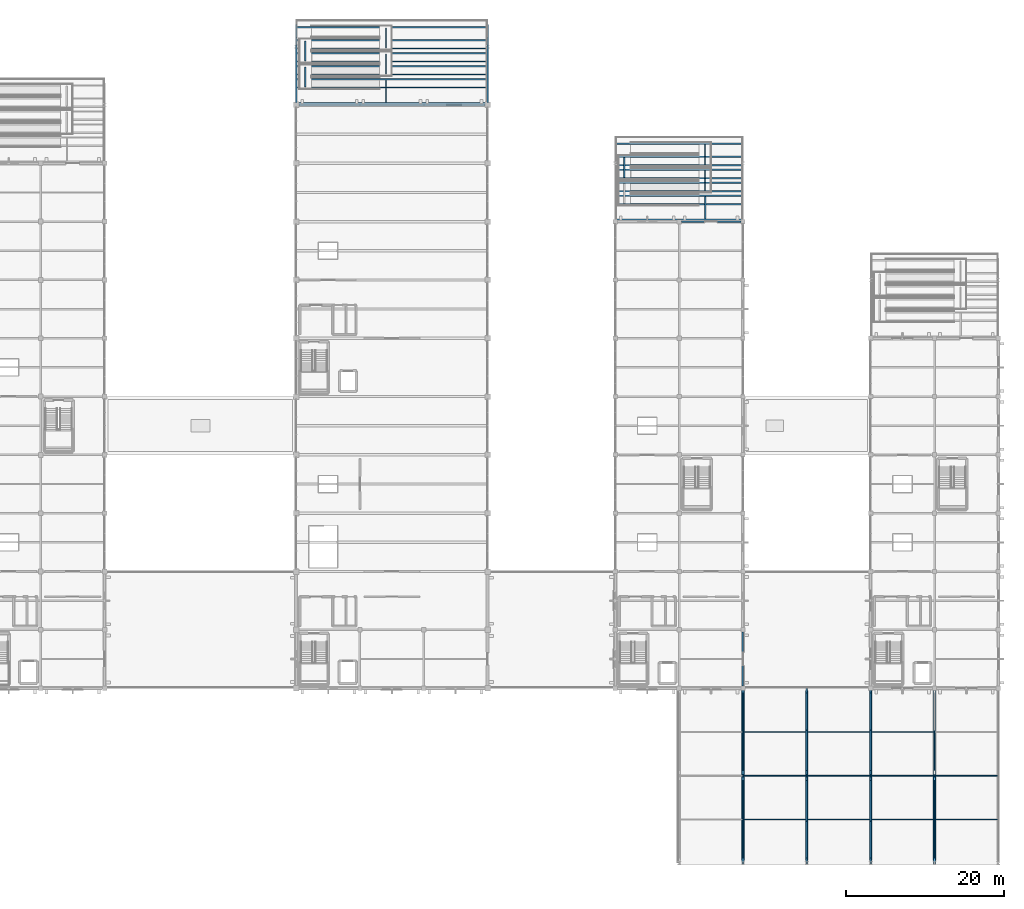
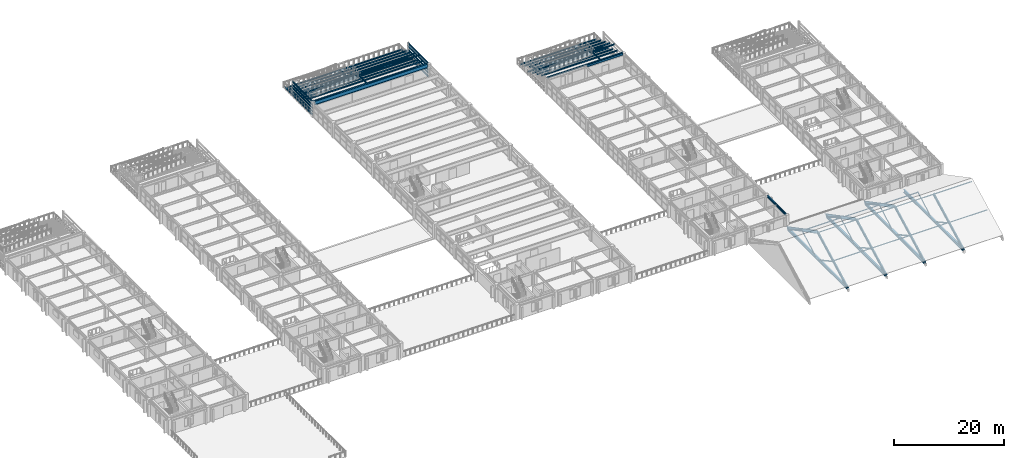
# One storey, part 73 of 121: 49 beams, 30 members.
"""IFC4 building model written with IfcOpenShell, lengths in metres."""

from ifc_helpers import new_model, si_unit, direction, frame, origin, origin_2d, place, context, subcontext, project, spatial, hollow_rectangle, i_section, extrude, material, material_profile, profile_set, type_object, element, save


model = new_model("IFC4")

# Units and contexts
model_context = context("Model", 3, precision=1e-05, world=origin(), true_north=direction((0.0, 1.0)))
body_context = subcontext(model_context, "Body", "Model", "MODEL_VIEW")
ifc_project = project(units=[si_unit("LENGTHUNIT", "METRE"), si_unit("AREAUNIT", "SQUARE_METRE"), si_unit("VOLUMEUNIT", "CUBIC_METRE"), si_unit("PLANEANGLEUNIT", "RADIAN"), si_unit("MASSUNIT", "GRAM", prefix="KILO")], contexts=[model_context])

# Site, building, storey
site_placement = place(None, origin())
site = spatial("IfcSite", under=ifc_project, at=site_placement, CompositionType="ELEMENT")
building_placement = place(site_placement, origin())
building = spatial("IfcBuilding", under=site, at=building_placement, Name="Cimatlan Art Gallery", CompositionType="ELEMENT")
storey_placement = place(building_placement, frame((0.0, 0.0, 10.199951171875)))
storey = spatial("IfcBuildingStorey", under=building, at=storey_placement, Name="L02", CompositionType="ELEMENT", Elevation=10.199951171875)

# Beams
ifc_material_1 = material(Name="Steel ASTM A992 Grade 50", Category="steel")
ifc_material_profile_1 = material_profile(ifc_material_1, i_section(OverallWidth=0.2919921875, OverallDepth=0.845947265625, WebThickness=0.015380859375, FlangeThickness=0.0244140625, at=origin_2d()), Name="W33X141")
ifc_profile_set_1 = profile_set([ifc_material_profile_1], Name="Steel ASTM A992 Grade 50")
beam_type_1 = type_object("IfcBeamType", Name="BM-SPAN24-L03", PredefinedType="BEAM", material=ifc_profile_set_1)
beam_1_placement = place(storey_placement, frame((75.25, 97.89990234375, 2.947021484375), z_axis=(1.0, 0.0, 0.0), x_axis=(0.0, 1.0, 0.0)))
element("IfcBeam", 1, at=beam_1_placement, inside=storey, type_object=beam_type_1, Name="BM-SP24-L02-13", PredefinedType="BEAM", context=body_context, shape_type="SweptSolid", body=[
    extrude(i_section(OverallWidth=0.2919921875, OverallDepth=0.845947265625, WebThickness=0.015380859375, FlangeThickness=0.0244140625, at=origin_2d()), origin(), (0.0, 0.0, 1.0), 23.60009765625),
])
ifc_material_profile_2 = material_profile(ifc_material_1, i_section(OverallWidth=0.1650390625, OverallDepth=0.31005859375, WebThickness=0.005859375, FlangeThickness=0.009765625, at=origin_2d()), Name="W12X26")
ifc_profile_set_2 = profile_set([ifc_material_profile_2], Name="Steel ASTM A992 Grade 50")
beam_type_2 = type_object("IfcBeamType", Name="BM-STL-W12X26", PredefinedType="JOIST", material=ifc_profile_set_2)
for number, where, z_axis, x_axis, name in (
    (2, (74.89990234375, 98.1201171875, 0.364990234375), (0.0, 1.0, 0.0), (-1.0, 0.0, 0.0), "BM-RMP-TER-B3-L1-NSW"),
    (3, (99.199951171875, 98.1201171875, 0.364990234375), (0.0, 1.0, 0.0), (-1.0, 0.0, 0.0), "BM-RMP-TER-B3-L1-NSE"),
):
    element("IfcBeam", number, at=place(storey_placement, frame(where, z_axis=z_axis, x_axis=x_axis)), inside=storey, type_object=beam_type_2, Name=name, PredefinedType="JOIST", context=body_context, shape_type="SweptSolid", body=[
        extrude(i_section(OverallWidth=0.1650390625, OverallDepth=0.31005859375, WebThickness=0.005859375, FlangeThickness=0.009765625, at=origin_2d()), origin(), (0.0, 0.0, 1.0), 9.97998046875),
    ])
for number, where, z_axis, x_axis, name in (
    (4, (74.989990234375, 105.070068359375, 0.364990234375), (1.0, 0.0, 0.0), (0.0, 1.0, 0.0), "BM-RMP-TER-B3-L1-EW1"),
    (5, (74.989990234375, 107.780029296875, 0.364990234375), (1.0, 0.0, 0.0), (0.0, 1.0, 0.0), "BM-RMP-TER-B3-L1-EW2"),
):
    element("IfcBeam", number, at=place(storey_placement, frame(where, z_axis=z_axis, x_axis=x_axis)), inside=storey, type_object=beam_type_2, Name=name, PredefinedType="JOIST", context=body_context, shape_type="SweptSolid", body=[
        extrude(i_section(OverallWidth=0.1650390625, OverallDepth=0.31005859375, WebThickness=0.005859375, FlangeThickness=0.009765625, at=origin_2d()), origin(), (0.0, 0.0, 1.0), 24.1201171875),
    ])
beam_2_placement = place(storey_placement, frame((86.2900390625, 105.159912109375, 0.364990234375), z_axis=(0.0, 1.0, 0.0), x_axis=(-1.0, 0.0, 0.0)))
element("IfcBeam", 6, at=beam_2_placement, inside=storey, type_object=beam_type_2, Name="BM-RMP-TER-B3-L1-X1", PredefinedType="JOIST", context=body_context, shape_type="SweptSolid", body=[
    extrude(i_section(OverallWidth=0.1650390625, OverallDepth=0.31005859375, WebThickness=0.005859375, FlangeThickness=0.009765625, at=origin_2d()), origin(), (0.0, 0.0, 1.0), 2.530029296875),
])
for number, where, z_axis, x_axis, name in (
    (7, (74.89990234375, 98.1201171875, 1.0849609375), (0.0, 1.0, 0.0), (-1.0, 0.0, 0.0), "BM-RMP-TER-B3-L2-NSW"),
    (8, (99.199951171875, 98.1201171875, 1.0849609375), (0.0, 1.0, 0.0), (-1.0, 0.0, 0.0), "BM-RMP-TER-B3-L2-NSE"),
):
    element("IfcBeam", number, at=place(storey_placement, frame(where, z_axis=z_axis, x_axis=x_axis)), inside=storey, type_object=beam_type_2, Name=name, PredefinedType="JOIST", context=body_context, shape_type="SweptSolid", body=[
        extrude(i_section(OverallWidth=0.1650390625, OverallDepth=0.31005859375, WebThickness=0.005859375, FlangeThickness=0.009765625, at=origin_2d()), origin(), (0.0, 0.0, 1.0), 8.329833984375),
    ])
for number, where, z_axis, x_axis, name in (
    (9, (74.989990234375, 103.419921875, 1.0849609375), (1.0, 0.0, 0.0), (0.0, 1.0, 0.0), "BM-RMP-TER-B3-L2-EW1"),
    (10, (74.989990234375, 106.1298828125, 1.0849609375), (1.0, 0.0, 0.0), (0.0, 1.0, 0.0), "BM-RMP-TER-B3-L2-EW2"),
):
    element("IfcBeam", number, at=place(storey_placement, frame(where, z_axis=z_axis, x_axis=x_axis)), inside=storey, type_object=beam_type_2, Name=name, PredefinedType="JOIST", context=body_context, shape_type="SweptSolid", body=[
        extrude(i_section(OverallWidth=0.1650390625, OverallDepth=0.31005859375, WebThickness=0.005859375, FlangeThickness=0.009765625, at=origin_2d()), origin(), (0.0, 0.0, 1.0), 24.1201171875),
    ])
beam_3_placement = place(storey_placement, frame((76.050048828125, 103.510009765625, 1.0849609375), z_axis=(0.0, 1.0, 0.0), x_axis=(-1.0, 0.0, 0.0)))
element("IfcBeam", 11, at=beam_3_placement, inside=storey, type_object=beam_type_2, Name="BM-RMP-TER-B3-L2-X1", PredefinedType="JOIST", context=body_context, shape_type="SweptSolid", body=[
    extrude(i_section(OverallWidth=0.1650390625, OverallDepth=0.31005859375, WebThickness=0.005859375, FlangeThickness=0.009765625, at=origin_2d()), origin(), (0.0, 0.0, 1.0), 2.530029296875),
])
for number, where, z_axis, x_axis, name in (
    (12, (74.89990234375, 98.1201171875, 1.804931640625), (0.0, 1.0, 0.0), (-1.0, 0.0, 0.0), "BM-RMP-TER-B3-L3-NSW"),
    (13, (99.199951171875, 98.1201171875, 1.804931640625), (0.0, 1.0, 0.0), (-1.0, 0.0, 0.0), "BM-RMP-TER-B3-L3-NSE"),
):
    element("IfcBeam", number, at=place(storey_placement, frame(where, z_axis=z_axis, x_axis=x_axis)), inside=storey, type_object=beam_type_2, Name=name, PredefinedType="JOIST", context=body_context, shape_type="SweptSolid", body=[
        extrude(i_section(OverallWidth=0.1650390625, OverallDepth=0.31005859375, WebThickness=0.005859375, FlangeThickness=0.009765625, at=origin_2d()), origin(), (0.0, 0.0, 1.0), 7.3798828125),
    ])
for number, where, z_axis, x_axis, name in (
    (14, (74.989990234375, 101.77001953125, 1.804931640625), (1.0, 0.0, 0.0), (0.0, 1.0, 0.0), "BM-RMP-TER-B3-L3-EW1"),
    (15, (74.989990234375, 104.47998046875, 1.804931640625), (1.0, 0.0, 0.0), (0.0, 1.0, 0.0), "BM-RMP-TER-B3-L3-EW2"),
):
    element("IfcBeam", number, at=place(storey_placement, frame(where, z_axis=z_axis, x_axis=x_axis)), inside=storey, type_object=beam_type_2, Name=name, PredefinedType="JOIST", context=body_context, shape_type="SweptSolid", body=[
        extrude(i_section(OverallWidth=0.1650390625, OverallDepth=0.31005859375, WebThickness=0.005859375, FlangeThickness=0.009765625, at=origin_2d()), origin(), (0.0, 0.0, 1.0), 24.1201171875),
    ])
beam_4_placement = place(storey_placement, frame((86.2900390625, 101.860107421875, 1.804931640625), z_axis=(0.0, 1.0, 0.0), x_axis=(-1.0, 0.0, 0.0)))
element("IfcBeam", 16, at=beam_4_placement, inside=storey, type_object=beam_type_2, Name="BM-RMP-TER-B3-L3-X1", PredefinedType="JOIST", context=body_context, shape_type="SweptSolid", body=[
    extrude(i_section(OverallWidth=0.1650390625, OverallDepth=0.31005859375, WebThickness=0.005859375, FlangeThickness=0.009765625, at=origin_2d()), origin(), (0.0, 0.0, 1.0), 2.52978515625),
])
for number, where, z_axis, x_axis, name in (
    (17, (74.89990234375, 98.1201171875, 2.525146484375), (0.0, 1.0, 0.0), (-1.0, 0.0, 0.0), "BM-RMP-TER-B3-L4-NSW"),
    (18, (99.199951171875, 98.1201171875, 2.525146484375), (0.0, 1.0, 0.0), (-1.0, 0.0, 0.0), "BM-RMP-TER-B3-L4-NSE"),
):
    element("IfcBeam", number, at=place(storey_placement, frame(where, z_axis=z_axis, x_axis=x_axis)), inside=storey, type_object=beam_type_2, Name=name, PredefinedType="JOIST", context=body_context, shape_type="SweptSolid", body=[
        extrude(i_section(OverallWidth=0.1650390625, OverallDepth=0.31005859375, WebThickness=0.005859375, FlangeThickness=0.009765625, at=origin_2d()), origin(), (0.0, 0.0, 1.0), 7.3798828125),
    ])
for number, where, z_axis, x_axis, name in (
    (19, (74.989990234375, 100.1201171875, 2.525146484375), (1.0, 0.0, 0.0), (0.0, 1.0, 0.0), "BM-RMP-TER-B3-L4-EW1"),
    (20, (74.989990234375, 102.830078125, 2.525146484375), (1.0, 0.0, 0.0), (0.0, 1.0, 0.0), "BM-RMP-TER-B3-L4-EW2"),
):
    element("IfcBeam", number, at=place(storey_placement, frame(where, z_axis=z_axis, x_axis=x_axis)), inside=storey, type_object=beam_type_2, Name=name, PredefinedType="JOIST", context=body_context, shape_type="SweptSolid", body=[
        extrude(i_section(OverallWidth=0.1650390625, OverallDepth=0.31005859375, WebThickness=0.005859375, FlangeThickness=0.009765625, at=origin_2d()), origin(), (0.0, 0.0, 1.0), 24.1201171875),
    ])
beam_5_placement = place(storey_placement, frame((76.050048828125, 100.2099609375, 2.525146484375), z_axis=(0.0, 1.0, 0.0), x_axis=(-1.0, 0.0, 0.0)))
element("IfcBeam", 21, at=beam_5_placement, inside=storey, type_object=beam_type_2, Name="BM-RMP-TER-B3-L4-X1", PredefinedType="JOIST", context=body_context, shape_type="SweptSolid", body=[
    extrude(i_section(OverallWidth=0.1650390625, OverallDepth=0.31005859375, WebThickness=0.005859375, FlangeThickness=0.009765625, at=origin_2d()), origin(), (0.0, 0.0, 1.0), 2.530029296875),
])
for number, where, z_axis, x_axis, name in (
    (22, (74.89990234375, 98.1201171875, 3.2451171875), (0.0, 1.0, 0.0), (-1.0, 0.0, 0.0), "BM-RMP-TER-B3-L5-NSW"),
    (23, (99.199951171875, 98.1201171875, 3.2451171875), (0.0, 1.0, 0.0), (-1.0, 0.0, 0.0), "BM-RMP-TER-B3-L5-NSE"),
):
    element("IfcBeam", number, at=place(storey_placement, frame(where, z_axis=z_axis, x_axis=x_axis)), inside=storey, type_object=beam_type_2, Name=name, PredefinedType="JOIST", context=body_context, shape_type="SweptSolid", body=[
        extrude(i_section(OverallWidth=0.1650390625, OverallDepth=0.31005859375, WebThickness=0.005859375, FlangeThickness=0.009765625, at=origin_2d()), origin(), (0.0, 0.0, 1.0), 7.3798828125),
    ])
for number, where, z_axis, x_axis, name in (
    (24, (74.989990234375, 98.1201171875, 3.2451171875), (1.0, 0.0, 0.0), (0.0, 1.0, 0.0), "BM-RMP-TER-B3-L5-EW1"),
    (25, (74.989990234375, 101.179931640625, 3.2451171875), (1.0, 0.0, 0.0), (0.0, 1.0, 0.0), "BM-RMP-TER-B3-L5-EW2"),
):
    element("IfcBeam", number, at=place(storey_placement, frame(where, z_axis=z_axis, x_axis=x_axis)), inside=storey, type_object=beam_type_2, Name=name, PredefinedType="JOIST", context=body_context, shape_type="SweptSolid", body=[
        extrude(i_section(OverallWidth=0.1650390625, OverallDepth=0.31005859375, WebThickness=0.005859375, FlangeThickness=0.009765625, at=origin_2d()), origin(), (0.0, 0.0, 1.0), 24.1201171875),
    ])
beam_6_placement = place(storey_placement, frame((86.31494140625, 98.2099609375, 3.2451171875), z_axis=(0.0, 1.0, 0.0), x_axis=(-1.0, 0.0, 0.0)))
element("IfcBeam", 26, at=beam_6_placement, inside=storey, type_object=beam_type_2, Name="BM-RMP-TER-B3-L5-X1", PredefinedType="JOIST", context=body_context, shape_type="SweptSolid", body=[
    extrude(i_section(OverallWidth=0.1650390625, OverallDepth=0.31005859375, WebThickness=0.005859375, FlangeThickness=0.009765625, at=origin_2d()), origin(), (0.0, 0.0, 1.0), 2.880126953125),
])
for number, where, z_axis, x_axis, name in (
    (27, (115.489990234375, 90.27001953125, 0.364990234375), (1.0, 0.0, 0.0), (0.0, 1.0, 0.0), "BM-RMP-TER-B4-L1-EW1"),
    (28, (115.489990234375, 92.97998046875, 0.364990234375), (1.0, 0.0, 0.0), (0.0, 1.0, 0.0), "BM-RMP-TER-B4-L1-EW2"),
):
    element("IfcBeam", number, at=place(storey_placement, frame(where, z_axis=z_axis, x_axis=x_axis)), inside=storey, type_object=beam_type_2, Name=name, PredefinedType="JOIST", context=body_context, shape_type="SweptSolid", body=[
        extrude(i_section(OverallWidth=0.1650390625, OverallDepth=0.31005859375, WebThickness=0.005859375, FlangeThickness=0.009765625, at=origin_2d()), origin(), (0.0, 0.0, 1.0), 16.02001953125),
    ])
beam_7_placement = place(storey_placement, frame((126.7900390625, 90.360107421875, 0.364990234375), z_axis=(0.0, 1.0, 0.0), x_axis=(-1.0, 0.0, 0.0)))
element("IfcBeam", 29, at=beam_7_placement, inside=storey, type_object=beam_type_2, Name="BM-RMP-TER-B4-L1-X1", PredefinedType="JOIST", context=body_context, shape_type="SweptSolid", body=[
    extrude(i_section(OverallWidth=0.1650390625, OverallDepth=0.31005859375, WebThickness=0.005859375, FlangeThickness=0.009765625, at=origin_2d()), origin(), (0.0, 0.0, 1.0), 2.52978515625),
])
for number, where, z_axis, x_axis, name in (
    (30, (115.489990234375, 88.6201171875, 1.0849609375), (1.0, 0.0, 0.0), (0.0, 1.0, 0.0), "BM-RMP-TER-B4-L2-EW1"),
    (31, (115.489990234375, 91.330078125, 1.0849609375), (1.0, 0.0, 0.0), (0.0, 1.0, 0.0), "BM-RMP-TER-B4-L2-EW2"),
):
    element("IfcBeam", number, at=place(storey_placement, frame(where, z_axis=z_axis, x_axis=x_axis)), inside=storey, type_object=beam_type_2, Name=name, PredefinedType="JOIST", context=body_context, shape_type="SweptSolid", body=[
        extrude(i_section(OverallWidth=0.1650390625, OverallDepth=0.31005859375, WebThickness=0.005859375, FlangeThickness=0.009765625, at=origin_2d()), origin(), (0.0, 0.0, 1.0), 16.02001953125),
    ])
beam_8_placement = place(storey_placement, frame((116.550048828125, 88.7099609375, 1.0849609375), z_axis=(0.0, 1.0, 0.0), x_axis=(-1.0, 0.0, 0.0)))
element("IfcBeam", 32, at=beam_8_placement, inside=storey, type_object=beam_type_2, Name="BM-RMP-TER-B4-L2-X1", PredefinedType="JOIST", context=body_context, shape_type="SweptSolid", body=[
    extrude(i_section(OverallWidth=0.1650390625, OverallDepth=0.31005859375, WebThickness=0.005859375, FlangeThickness=0.009765625, at=origin_2d()), origin(), (0.0, 0.0, 1.0), 2.530029296875),
])
for number, where, z_axis, x_axis, name in (
    (33, (115.489990234375, 86.969970703125, 1.804931640625), (1.0, 0.0, 0.0), (0.0, 1.0, 0.0), "BM-RMP-TER-B4-L3-EW1"),
    (34, (115.489990234375, 89.679931640625, 1.804931640625), (1.0, 0.0, 0.0), (0.0, 1.0, 0.0), "BM-RMP-TER-B4-L3-EW2"),
):
    element("IfcBeam", number, at=place(storey_placement, frame(where, z_axis=z_axis, x_axis=x_axis)), inside=storey, type_object=beam_type_2, Name=name, PredefinedType="JOIST", context=body_context, shape_type="SweptSolid", body=[
        extrude(i_section(OverallWidth=0.1650390625, OverallDepth=0.31005859375, WebThickness=0.005859375, FlangeThickness=0.009765625, at=origin_2d()), origin(), (0.0, 0.0, 1.0), 16.02001953125),
    ])
beam_9_placement = place(storey_placement, frame((126.7900390625, 87.06005859375, 1.804931640625), z_axis=(0.0, 1.0, 0.0), x_axis=(-1.0, 0.0, 0.0)))
element("IfcBeam", 35, at=beam_9_placement, inside=storey, type_object=beam_type_2, Name="BM-RMP-TER-B4-L3-X1", PredefinedType="JOIST", context=body_context, shape_type="SweptSolid", body=[
    extrude(i_section(OverallWidth=0.1650390625, OverallDepth=0.31005859375, WebThickness=0.005859375, FlangeThickness=0.009765625, at=origin_2d()), origin(), (0.0, 0.0, 1.0), 2.530029296875),
])
for number, where, z_axis, x_axis, name in (
    (36, (115.489990234375, 85.320068359375, 2.525146484375), (1.0, 0.0, 0.0), (0.0, 1.0, 0.0), "BM-RMP-TER-B4-L4-EW1"),
    (37, (115.489990234375, 88.030029296875, 2.525146484375), (1.0, 0.0, 0.0), (0.0, 1.0, 0.0), "BM-RMP-TER-B4-L4-EW2"),
    (38, (115.489990234375, 83.320068359375, 3.2451171875), (1.0, 0.0, 0.0), (0.0, 1.0, 0.0), "BM-RMP-TER-B4-L5-EW1"),
    (39, (115.489990234375, 86.3798828125, 3.2451171875), (1.0, 0.0, 0.0), (0.0, 1.0, 0.0), "BM-RMP-TER-B4-L5-EW2"),
):
    element("IfcBeam", number, at=place(storey_placement, frame(where, z_axis=z_axis, x_axis=x_axis)), inside=storey, type_object=beam_type_2, Name=name, PredefinedType="JOIST", context=body_context, shape_type="SweptSolid", body=[
        extrude(i_section(OverallWidth=0.1650390625, OverallDepth=0.31005859375, WebThickness=0.005859375, FlangeThickness=0.009765625, at=origin_2d()), origin(), (0.0, 0.0, 1.0), 16.02001953125),
    ])
beam_10_placement = place(storey_placement, frame((126.81494140625, 83.409912109375, 3.2451171875), z_axis=(0.0, 1.0, 0.0), x_axis=(-1.0, 0.0, 0.0)))
element("IfcBeam", 40, at=beam_10_placement, inside=storey, type_object=beam_type_2, Name="BM-RMP-TER-B4-L5-X1", PredefinedType="JOIST", context=body_context, shape_type="SweptSolid", body=[
    extrude(i_section(OverallWidth=0.1650390625, OverallDepth=0.31005859375, WebThickness=0.005859375, FlangeThickness=0.009765625, at=origin_2d()), origin(), (0.0, 0.0, 1.0), 2.880126953125),
])
ifc_material_profile_3 = material_profile(ifc_material_1, i_section(OverallWidth=0.19091796875, OverallDepth=0.45703125, WebThickness=0.009033203125, FlangeThickness=0.014404296875, at=origin_2d()), Name="W18X50")
ifc_profile_set_3 = profile_set([ifc_material_profile_3], Name="Steel ASTM A992 Grade 50")
beam_type_3 = type_object("IfcBeamType", Name="BM-STL-W18X50", PredefinedType="BEAM", material=ifc_profile_set_3)
beam_11_placement = place(storey_placement, frame((131.60009765625, 24.175048828125, 3.1416015625), z_axis=(0.0, 1.0, 0.0), x_axis=(-1.0, 0.0, 0.0)))
element("IfcBeam", 41, at=beam_11_placement, inside=storey, type_object=beam_type_3, Name="BM-Y-L02-16-03", PredefinedType="BEAM", context=body_context, shape_type="SweptSolid", body=[
    extrude(i_section(OverallWidth=0.19091796875, OverallDepth=0.45703125, WebThickness=0.009033203125, FlangeThickness=0.014404296875, at=origin_2d()), origin(), (0.0, 0.0, 1.0), 6.849853515625),
])
beam_12_placement = place(storey_placement, frame((123.77490234375, 83.10009765625, 3.1416015625), z_axis=(1.0, 0.0, 0.0), x_axis=(0.0, 1.0, 0.0)))
element("IfcBeam", 42, at=beam_12_placement, inside=storey, type_object=beam_type_3, Name="BM-X-L02-15-11", PredefinedType="BEAM", context=body_context, shape_type="SweptSolid", body=[
    extrude(i_section(OverallWidth=0.19091796875, OverallDepth=0.45703125, WebThickness=0.009033203125, FlangeThickness=0.014404296875, at=origin_2d()), origin(), (0.0, 0.0, 1.0), 7.550048828125),
])
ifc_material_profile_4 = material_profile(ifc_material_1, i_section(OverallWidth=0.22802734375, OverallDepth=0.60791015625, WebThickness=0.01123046875, FlangeThickness=0.017333984375, at=origin_2d()), Name="W24X76")
ifc_profile_set_4 = profile_set([ifc_material_profile_4], Name="Steel ASTM A992 Grade 50")
beam_type_4 = type_object("IfcBeamType", Name="BM-TRS-RAF", PredefinedType="BEAM", material=ifc_profile_set_4)
beam_13_placement = place(storey_placement, frame((131.60009765625, 1.699951171875, 0.360107421875), z_axis=(0.0, 0.884994212642, 0.465602022751), x_axis=(-1.0, 0.0, 0.0)))
element("IfcBeam", 43, at=beam_13_placement, inside=storey, type_object=beam_type_4, Name="ATRS-02-RAF-S", PredefinedType="BEAM", context=body_context, shape_type="SweptSolid", body=[
    extrude(i_section(OverallWidth=0.22802734375, OverallDepth=0.60791015625, WebThickness=0.01123046875, FlangeThickness=0.017333984375, at=origin_2d()), origin(), (0.0, 0.0, 1.0), 12.54248046875),
])
beam_14_placement = place(storey_placement, frame((131.60009765625, 12.800048828125, 6.199951171875), z_axis=(0.0, 0.884989992815, -0.465610043509), x_axis=(-1.0, 0.0, 0.0)))
element("IfcBeam", 44, at=beam_14_placement, inside=storey, type_object=beam_type_4, Name="ATRS-02-RAF-N", PredefinedType="BEAM", context=body_context, shape_type="SweptSolid", body=[
    extrude(i_section(OverallWidth=0.22802734375, OverallDepth=0.60791015625, WebThickness=0.01123046875, FlangeThickness=0.017333984375, at=origin_2d()), origin(), (0.0, 0.0, 1.0), 12.542236328125),
])
beam_15_placement = place(storey_placement, frame((139.699951171875, 1.699951171875, 0.360107421875), z_axis=(0.0, 0.884994212642, 0.465602022751), x_axis=(-1.0, 0.0, 0.0)))
element("IfcBeam", 45, at=beam_15_placement, inside=storey, type_object=beam_type_4, Name="ATRS-03-RAF-S", PredefinedType="BEAM", context=body_context, shape_type="SweptSolid", body=[
    extrude(i_section(OverallWidth=0.22802734375, OverallDepth=0.60791015625, WebThickness=0.01123046875, FlangeThickness=0.017333984375, at=origin_2d()), origin(), (0.0, 0.0, 1.0), 12.54248046875),
])
beam_16_placement = place(storey_placement, frame((139.699951171875, 12.800048828125, 6.199951171875), z_axis=(0.0, 0.884989992815, -0.465610043509), x_axis=(-1.0, 0.0, 0.0)))
element("IfcBeam", 46, at=beam_16_placement, inside=storey, type_object=beam_type_4, Name="ATRS-03-RAF-N", PredefinedType="BEAM", context=body_context, shape_type="SweptSolid", body=[
    extrude(i_section(OverallWidth=0.22802734375, OverallDepth=0.60791015625, WebThickness=0.01123046875, FlangeThickness=0.017333984375, at=origin_2d()), origin(), (0.0, 0.0, 1.0), 12.542236328125),
])
beam_17_placement = place(storey_placement, frame((147.800048828125, 1.699951171875, 0.360107421875), z_axis=(0.0, 0.884994212642, 0.465602022751), x_axis=(-1.0, 0.0, 0.0)))
element("IfcBeam", 47, at=beam_17_placement, inside=storey, type_object=beam_type_4, Name="ATRS-04-RAF-S", PredefinedType="BEAM", context=body_context, shape_type="SweptSolid", body=[
    extrude(i_section(OverallWidth=0.22802734375, OverallDepth=0.60791015625, WebThickness=0.01123046875, FlangeThickness=0.017333984375, at=origin_2d()), origin(), (0.0, 0.0, 1.0), 12.54248046875),
])
beam_18_placement = place(storey_placement, frame((147.800048828125, 12.800048828125, 6.199951171875), z_axis=(0.0, 0.884989992815, -0.465610043509), x_axis=(-1.0, 0.0, 0.0)))
element("IfcBeam", 48, at=beam_18_placement, inside=storey, type_object=beam_type_4, Name="ATRS-04-RAF-N", PredefinedType="BEAM", context=body_context, shape_type="SweptSolid", body=[
    extrude(i_section(OverallWidth=0.22802734375, OverallDepth=0.60791015625, WebThickness=0.01123046875, FlangeThickness=0.017333984375, at=origin_2d()), origin(), (0.0, 0.0, 1.0), 12.542236328125),
])
beam_19_placement = place(storey_placement, frame((155.89990234375, 1.699951171875, 0.360107421875), z_axis=(0.0, 0.884994212642, 0.465602022751), x_axis=(-1.0, 0.0, 0.0)))
element("IfcBeam", 49, at=beam_19_placement, inside=storey, type_object=beam_type_4, Name="ATRS-05-RAF-S", PredefinedType="BEAM", context=body_context, shape_type="SweptSolid", body=[
    extrude(i_section(OverallWidth=0.22802734375, OverallDepth=0.60791015625, WebThickness=0.01123046875, FlangeThickness=0.017333984375, at=origin_2d()), origin(), (0.0, 0.0, 1.0), 12.54248046875),
])

# Members
ifc_material_2 = material(Name="Steel ASTM A500 Grade C", Category="steel")
ifc_material_profile_5 = material_profile(ifc_material_2, hollow_rectangle(XDim=0.10009765625, YDim=0.199951171875, WallThickness=0.008056640625, at=origin_2d()), Name="HSS200X100X8")
ifc_profile_set_5 = profile_set([ifc_material_profile_5], Name="Steel ASTM A500 Grade C")
member_type_1 = type_object("IfcMemberType", Name="MBR-PUR-C200", PredefinedType="PURLIN", material=ifc_profile_set_5)
for number, where, z_axis, x_axis, name in (
    (50, (131.60009765625, 7.25, 3.14013671875), (1.0, 0.0, 0.0), (0.0, 1.0, 0.0), "APUR-B2-7"),
    (51, (131.60009765625, 12.800048828125, 6.06005859375), (1.0, 0.0, 0.0), (0.0, 1.0, 0.0), "APUR-B2-13"),
    (52, (131.60009765625, 18.35009765625, 3.14013671875), (1.0, 0.0, 0.0), (0.0, 1.0, 0.0), "APUR-B2-18"),
):
    element("IfcMember", number, at=place(storey_placement, frame(where, z_axis=z_axis, x_axis=x_axis)), inside=storey, type_object=member_type_1, Name=name, PredefinedType="PURLIN", context=body_context, shape_type="SweptSolid", body=[
        extrude(hollow_rectangle(XDim=0.10009765625, YDim=0.199951171875, WallThickness=0.008056640625, at=origin_2d()), origin(), (0.0, 0.0, 1.0), 8.099853515625),
    ])
for number, where, z_axis, x_axis, name in (
    (53, (139.699951171875, 7.25, 3.14013671875), (1.0, 0.0, 0.0), (0.0, 1.0, 0.0), "APUR-B3-7"),
    (54, (139.699951171875, 12.800048828125, 6.06005859375), (1.0, 0.0, 0.0), (0.0, 1.0, 0.0), "APUR-B3-13"),
    (55, (139.699951171875, 18.35009765625, 3.14013671875), (1.0, 0.0, 0.0), (0.0, 1.0, 0.0), "APUR-B3-18"),
):
    element("IfcMember", number, at=place(storey_placement, frame(where, z_axis=z_axis, x_axis=x_axis)), inside=storey, type_object=member_type_1, Name=name, PredefinedType="PURLIN", context=body_context, shape_type="SweptSolid", body=[
        extrude(hollow_rectangle(XDim=0.10009765625, YDim=0.199951171875, WallThickness=0.008056640625, at=origin_2d()), origin(), (0.0, 0.0, 1.0), 8.10009765625),
    ])
for number, where, z_axis, x_axis, name in (
    (56, (147.800048828125, 7.25, 3.14013671875), (1.0, 0.0, 0.0), (0.0, 1.0, 0.0), "APUR-B4-7"),
    (57, (147.800048828125, 12.800048828125, 6.06005859375), (1.0, 0.0, 0.0), (0.0, 1.0, 0.0), "APUR-B4-13"),
    (58, (147.800048828125, 18.35009765625, 3.14013671875), (1.0, 0.0, 0.0), (0.0, 1.0, 0.0), "APUR-B4-18"),
):
    element("IfcMember", number, at=place(storey_placement, frame(where, z_axis=z_axis, x_axis=x_axis)), inside=storey, type_object=member_type_1, Name=name, PredefinedType="PURLIN", context=body_context, shape_type="SweptSolid", body=[
        extrude(hollow_rectangle(XDim=0.10009765625, YDim=0.199951171875, WallThickness=0.008056640625, at=origin_2d()), origin(), (0.0, 0.0, 1.0), 8.099853515625),
    ])
for number, where, z_axis, x_axis, name in (
    (59, (155.89990234375, 7.25, 3.14013671875), (1.0, 0.0, 0.0), (0.0, 1.0, 0.0), "APUR-B5-7"),
    (60, (155.89990234375, 12.800048828125, 6.06005859375), (1.0, 0.0, 0.0), (0.0, 1.0, 0.0), "APUR-B5-13"),
):
    element("IfcMember", number, at=place(storey_placement, frame(where, z_axis=z_axis, x_axis=x_axis)), inside=storey, type_object=member_type_1, Name=name, PredefinedType="PURLIN", context=body_context, shape_type="SweptSolid", body=[
        extrude(hollow_rectangle(XDim=0.10009765625, YDim=0.199951171875, WallThickness=0.008056640625, at=origin_2d()), origin(), (0.0, 0.0, 1.0), 8.10009765625),
    ])
ifc_material_profile_6 = material_profile(ifc_material_2, hollow_rectangle(XDim=0.14990234375, YDim=0.14990234375, WallThickness=0.008056640625, at=origin_2d()), Name="HSS150X150X8")
ifc_profile_set_6 = profile_set([ifc_material_profile_6], Name="Steel ASTM A500 Grade C")
member_type_2 = type_object("IfcMemberType", Name="MBR-TRS-DIAG-2", PredefinedType="BRACE", material=ifc_profile_set_6)
member_1_placement = place(storey_placement, frame((131.60009765625, 2.365966796875, 0.360107421875), z_axis=(0.0, 0.857009438415, 0.515300710719), x_axis=(-1.0, 0.0, 0.0)))
element("IfcMember", 61, at=member_1_placement, inside=storey, type_object=member_type_2, Name="ATRS-02-DS1", PredefinedType="BRACE", context=body_context, shape_type="SweptSolid", body=[
    extrude(hollow_rectangle(XDim=0.14990234375, YDim=0.14990234375, WallThickness=0.008056640625, at=origin_2d()), origin(), (0.0, 0.0, 1.0), 5.43994140625),
])
member_2_placement = place(storey_placement, frame((131.60009765625, 23.23388671875, 0.360107421875), z_axis=(0.0, -0.85699752079, 0.515320530699), x_axis=(1.0, 0.0, 0.0)))
element("IfcMember", 62, at=member_2_placement, inside=storey, type_object=member_type_2, Name="ATRS-02-DN1", PredefinedType="BRACE", context=body_context, shape_type="SweptSolid", body=[
    extrude(hollow_rectangle(XDim=0.14990234375, YDim=0.14990234375, WallThickness=0.008056640625, at=origin_2d()), origin(), (0.0, 0.0, 1.0), 5.439697265625),
])
for number, where, z_axis, x_axis, name in (
    (63, (131.60009765625, 7.028076171875, 3.163330078125), (0.0, 0.876582017765, -0.481252497273), (-1.0, 0.0, 0.0), "ATRS-02-DS2"),
    (64, (131.60009765625, 18.572021484375, 3.163330078125), (0.0, -0.876582017765, -0.481252497273), (1.0, 0.0, 0.0), "ATRS-02-DN2"),
):
    element("IfcMember", number, at=place(storey_placement, frame(where, z_axis=z_axis, x_axis=x_axis)), inside=storey, type_object=member_type_2, Name=name, PredefinedType="BRACE", context=body_context, shape_type="SweptSolid", body=[
        extrude(hollow_rectangle(XDim=0.14990234375, YDim=0.14990234375, WallThickness=0.008056640625, at=origin_2d()), origin(), (0.0, 0.0, 1.0), 5.824951171875),
    ])
member_3_placement = place(storey_placement, frame((139.699951171875, 2.365966796875, 0.360107421875), z_axis=(0.0, 0.857009438415, 0.515300710719), x_axis=(-1.0, 0.0, 0.0)))
element("IfcMember", 65, at=member_3_placement, inside=storey, type_object=member_type_2, Name="ATRS-03-DS1", PredefinedType="BRACE", context=body_context, shape_type="SweptSolid", body=[
    extrude(hollow_rectangle(XDim=0.14990234375, YDim=0.14990234375, WallThickness=0.008056640625, at=origin_2d()), origin(), (0.0, 0.0, 1.0), 5.43994140625),
])
member_4_placement = place(storey_placement, frame((139.699951171875, 23.23388671875, 0.360107421875), z_axis=(0.0, -0.85699752079, 0.515320530699), x_axis=(1.0, 0.0, 0.0)))
element("IfcMember", 66, at=member_4_placement, inside=storey, type_object=member_type_2, Name="ATRS-03-DN1", PredefinedType="BRACE", context=body_context, shape_type="SweptSolid", body=[
    extrude(hollow_rectangle(XDim=0.14990234375, YDim=0.14990234375, WallThickness=0.008056640625, at=origin_2d()), origin(), (0.0, 0.0, 1.0), 5.439697265625),
])
for number, where, z_axis, x_axis, name in (
    (67, (139.699951171875, 7.028076171875, 3.163330078125), (0.0, 0.876582017765, -0.481252497273), (-1.0, 0.0, 0.0), "ATRS-03-DS2"),
    (68, (139.699951171875, 18.572021484375, 3.163330078125), (0.0, -0.876582017765, -0.481252497273), (1.0, 0.0, 0.0), "ATRS-03-DN2"),
):
    element("IfcMember", number, at=place(storey_placement, frame(where, z_axis=z_axis, x_axis=x_axis)), inside=storey, type_object=member_type_2, Name=name, PredefinedType="BRACE", context=body_context, shape_type="SweptSolid", body=[
        extrude(hollow_rectangle(XDim=0.14990234375, YDim=0.14990234375, WallThickness=0.008056640625, at=origin_2d()), origin(), (0.0, 0.0, 1.0), 5.824951171875),
    ])
member_5_placement = place(storey_placement, frame((147.800048828125, 2.365966796875, 0.360107421875), z_axis=(0.0, 0.857009438415, 0.515300710719), x_axis=(-1.0, 0.0, 0.0)))
element("IfcMember", 69, at=member_5_placement, inside=storey, type_object=member_type_2, Name="ATRS-04-DS1", PredefinedType="BRACE", context=body_context, shape_type="SweptSolid", body=[
    extrude(hollow_rectangle(XDim=0.14990234375, YDim=0.14990234375, WallThickness=0.008056640625, at=origin_2d()), origin(), (0.0, 0.0, 1.0), 5.43994140625),
])
member_6_placement = place(storey_placement, frame((147.800048828125, 23.23388671875, 0.360107421875), z_axis=(0.0, -0.85699752079, 0.515320530699), x_axis=(1.0, 0.0, 0.0)))
element("IfcMember", 70, at=member_6_placement, inside=storey, type_object=member_type_2, Name="ATRS-04-DN1", PredefinedType="BRACE", context=body_context, shape_type="SweptSolid", body=[
    extrude(hollow_rectangle(XDim=0.14990234375, YDim=0.14990234375, WallThickness=0.008056640625, at=origin_2d()), origin(), (0.0, 0.0, 1.0), 5.439697265625),
])
for number, where, z_axis, x_axis, name in (
    (71, (147.800048828125, 7.028076171875, 3.163330078125), (0.0, 0.876582017765, -0.481252497273), (-1.0, 0.0, 0.0), "ATRS-04-DS2"),
    (72, (147.800048828125, 18.572021484375, 3.163330078125), (0.0, -0.876582017765, -0.481252497273), (1.0, 0.0, 0.0), "ATRS-04-DN2"),
):
    element("IfcMember", number, at=place(storey_placement, frame(where, z_axis=z_axis, x_axis=x_axis)), inside=storey, type_object=member_type_2, Name=name, PredefinedType="BRACE", context=body_context, shape_type="SweptSolid", body=[
        extrude(hollow_rectangle(XDim=0.14990234375, YDim=0.14990234375, WallThickness=0.008056640625, at=origin_2d()), origin(), (0.0, 0.0, 1.0), 5.824951171875),
    ])
member_7_placement = place(storey_placement, frame((155.89990234375, 2.365966796875, 0.360107421875), z_axis=(0.0, 0.857009438415, 0.515300710719), x_axis=(-1.0, 0.0, 0.0)))
element("IfcMember", 73, at=member_7_placement, inside=storey, type_object=member_type_2, Name="ATRS-05-DS1", PredefinedType="BRACE", context=body_context, shape_type="SweptSolid", body=[
    extrude(hollow_rectangle(XDim=0.14990234375, YDim=0.14990234375, WallThickness=0.008056640625, at=origin_2d()), origin(), (0.0, 0.0, 1.0), 5.43994140625),
])
for number, where, z_axis, x_axis, name in (
    (74, (155.89990234375, 7.028076171875, 3.163330078125), (0.0, 0.876582017765, -0.481252497273), (-1.0, 0.0, 0.0), "ATRS-05-DS2"),
    (75, (155.89990234375, 18.572021484375, 3.163330078125), (0.0, -0.876582017765, -0.481252497273), (1.0, 0.0, 0.0), "ATRS-05-DN2"),
):
    element("IfcMember", number, at=place(storey_placement, frame(where, z_axis=z_axis, x_axis=x_axis)), inside=storey, type_object=member_type_2, Name=name, PredefinedType="BRACE", context=body_context, shape_type="SweptSolid", body=[
        extrude(hollow_rectangle(XDim=0.14990234375, YDim=0.14990234375, WallThickness=0.008056640625, at=origin_2d()), origin(), (0.0, 0.0, 1.0), 5.824951171875),
    ])
ifc_material_profile_7 = material_profile(ifc_material_1, i_section(OverallWidth=0.323974609375, OverallDepth=0.611083984375, WebThickness=0.0126953125, FlangeThickness=0.01904296875, at=origin_2d()), Name="W24X104")
ifc_profile_set_7 = profile_set([ifc_material_profile_7], Name="Steel ASTM A992 Grade 50")
member_type_3 = type_object("IfcMemberType", Name="MBR-TRS-TIE", PredefinedType="CHORD", material=ifc_profile_set_7)
for number, where, z_axis, x_axis, name in (
    (76, (131.60009765625, 2.02490234375, 0.360107421875), (0.0, 1.0, 0.0), (-1.0, 0.0, 0.0), "ATRS-02-TIE"),
    (77, (139.699951171875, 2.02490234375, 0.360107421875), (0.0, 1.0, 0.0), (-1.0, 0.0, 0.0), "ATRS-03-TIE"),
    (78, (147.800048828125, 2.02490234375, 0.360107421875), (0.0, 1.0, 0.0), (-1.0, 0.0, 0.0), "ATRS-04-TIE"),
    (79, (155.89990234375, 2.02490234375, 0.360107421875), (0.0, 1.0, 0.0), (-1.0, 0.0, 0.0), "ATRS-05-TIE"),
):
    element("IfcMember", number, at=place(storey_placement, frame(where, z_axis=z_axis, x_axis=x_axis)), inside=storey, type_object=member_type_3, Name=name, PredefinedType="CHORD", context=body_context, shape_type="SweptSolid", body=[
        extrude(i_section(OverallWidth=0.323974609375, OverallDepth=0.611083984375, WebThickness=0.0126953125, FlangeThickness=0.01904296875, at=origin_2d()), origin(), (0.0, 0.0, 1.0), 21.550048828125),
    ])

save(model, "model.ifc")
